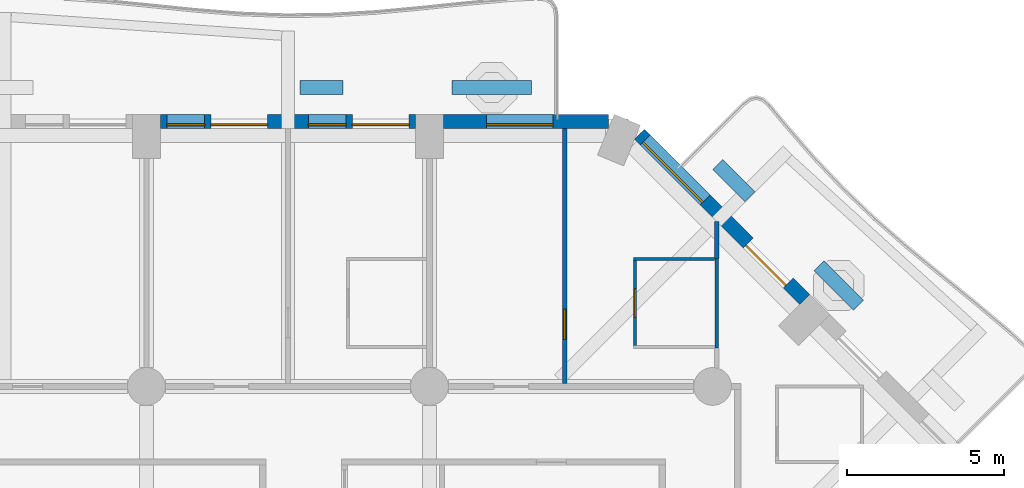
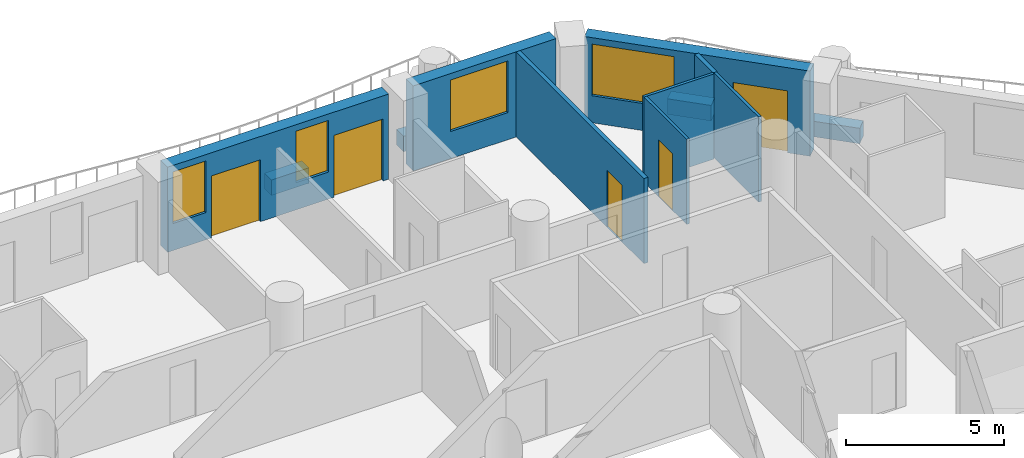
# One storey, part 10 of 20: 12 walls, 5 doors, 4 windows, 9 openings.
"""IFC4 building model written with IfcOpenShell, lengths in metres."""

from ifc_helpers import new_model, si_unit, direction, frame, frame_2d, origin, place, context, subcontext, project, spatial, rectangle, extrude, material, layer, layer_set, type_object, element, fill, save


model = new_model("IFC4")

# Units and contexts
model_context = context("Model", 3, precision=1e-05, world=origin(), true_north=direction((0.0, 1.0)))
body_context = subcontext(model_context, "Body", "Model", "MODEL_VIEW")
ifc_project = project(units=[si_unit("LENGTHUNIT", "METRE"), si_unit("AREAUNIT", "SQUARE_METRE"), si_unit("VOLUMEUNIT", "CUBIC_METRE"), si_unit("PLANEANGLEUNIT", "RADIAN"), si_unit("MASSUNIT", "GRAM", prefix="KILO")], contexts=[model_context])

# Site, building, storey
site_placement = place(None, origin())
site = spatial("IfcSite", under=ifc_project, at=site_placement, CompositionType="ELEMENT")
building_placement = place(site_placement, origin())
building = spatial("IfcBuilding", under=site, at=building_placement, Name="Cypress Arch Tower", CompositionType="ELEMENT")
storey_placement = place(building_placement, frame((0.0, 0.0, 77.10009765625)))
storey = spatial("IfcBuildingStorey", under=building, at=storey_placement, Name="L13", CompositionType="ELEMENT", Elevation=77.10009765625)

# Walls
ifc_material_1 = material(Name="Concrete C40/50, waterproofed", Category="concrete")
ifc_layer_1 = layer(ifc_material_1, 0.449951171875)
ifc_layer_set_1 = layer_set([ifc_layer_1], Name="Balcony planter wall PW450")
wall_type_1 = type_object("IfcWallType", Name="Balcony planter wall PW450", PredefinedType="SOLIDWALL", material=ifc_layer_set_1)
wall_1_placement = place(storey_placement, frame((19.9365234375, 20.07763671875, 0.0), z_axis=(0.0, 0.0, 1.0), x_axis=(-0.707106781187, 0.707106781187, 0.0)))
element("IfcWall", 1, at=wall_1_placement, inside=storey, type_object=wall_type_1, Name="Balcony planter wall L13-A07.2", PredefinedType="SOLIDWALL", context=body_context, shape_type="SweptSolid", body=[
    extrude(rectangle(XDim=1.780517578125, YDim=0.449951171875, at=frame_2d((0.89013671875, 0.0))), origin(), (0.0, 0.0, 1.0), 0.599853515625),
])
wall_2_placement = place(storey_placement, frame((16.485595703125, 23.528564453125, 0.0), z_axis=(0.0, 0.0, 1.0), x_axis=(-0.707022305137, 0.707191247145, 0.0)))
element("IfcWall", 2, at=wall_2_placement, inside=storey, type_object=wall_type_1, Name="Balcony planter wall L13-A07.3", PredefinedType="SOLIDWALL", context=body_context, shape_type="SweptSolid", body=[
    extrude(rectangle(XDim=1.445068359375, YDim=0.449951171875, at=frame_2d((0.72265625, 0.0))), origin(), (0.0, 0.0, 1.0), 0.599853515625),
])
wall_3_placement = place(storey_placement, frame((9.550048828125, 27.0, 0.0), z_axis=(0.0, 0.0, 1.0), x_axis=(-1.0, 0.0, 0.0)))
element("IfcWall", 3, at=wall_3_placement, inside=storey, type_object=wall_type_1, Name="Balcony planter wall L13-A08.1", PredefinedType="SOLIDWALL", context=body_context, shape_type="SweptSolid", body=[
    extrude(rectangle(XDim=2.53759765625, YDim=0.449951171875, at=frame_2d((1.268798828125, 0.0))), origin(), (0.0, 0.0, 1.0), 0.599853515625),
])
wall_4_placement = place(storey_placement, frame((3.550048828125, 27.0, 0.0), z_axis=(0.0, 0.0, 1.0), x_axis=(-1.0, 0.0, 0.0)))
element("IfcWall", 4, at=wall_4_placement, inside=storey, type_object=wall_type_1, Name="Balcony planter wall L13-A08.2", PredefinedType="SOLIDWALL", context=body_context, shape_type="SweptSolid", body=[
    extrude(rectangle(XDim=1.375, YDim=0.449951171875, at=frame_2d((0.6875, 0.0))), origin(), (0.0, 0.0, 1.0), 0.599853515625),
])

# Wall, openings, door, window
ifc_material_2 = material(Name="Brick (red buff blend)", Category="masonry")
ifc_layer_2 = layer(ifc_material_2, 0.449951171875)
ifc_layer_set_2 = layer_set([ifc_layer_2], Name="Brick pier and spandrel wall BW450")
wall_type_2 = type_object("IfcWallType", Name="Brick pier and spandrel wall BW450", PredefinedType="SOLIDWALL", material=ifc_layer_set_2)
wall_5_placement = place(storey_placement, frame((18.228759765625, 20.26513671875, 0.0), z_axis=(0.0, 0.0, 1.0), x_axis=(-0.707106781187, 0.707106781187, 0.0)))
wall_5 = element("IfcWall", 5, at=wall_5_placement, inside=storey, type_object=wall_type_2, Name="Brick wall L13 A07.1", PredefinedType="SOLIDWALL", context=body_context, shape_type="SweptSolid", body=[
    extrude(rectangle(XDim=7.423828125, YDim=0.449951171875, at=frame_2d((3.7119140625, 0.0))), origin(), (0.0, 0.0, 1.0), 3.2998046875),
])
opening_1_placement = place(wall_5_placement, frame((0.740234375, 0.0, 0.0)))
opening_1 = element("IfcOpeningElement", 6, at=opening_1_placement, cuts=wall_5, Name="Opening D-L13-A07.1.1", PredefinedType="OPENING", context=body_context, shape_type="SweptSolid", body=[
    extrude(rectangle(XDim=1.800048828125, YDim=2.39990234375, at=frame_2d((0.89990234375, 1.199951171875))), frame((0.0, 0.23486328125, 0.0), z_axis=(0.0, -1.0, 0.0), x_axis=(1.0, 0.0, 0.0)), (0.0, 0.0, 1.0), 0.469970703125),
])
opening_2_placement = place(wall_5_placement, frame((4.470703125, 0.0, 1.050048828125)))
opening_2 = element("IfcOpeningElement", 7, at=opening_2_placement, cuts=wall_5, Name="Opening W270HD", PredefinedType="OPENING", context=body_context, shape_type="SweptSolid", body=[
    extrude(rectangle(XDim=2.699951171875, YDim=2.0, at=frame_2d((1.35009765625, 1.0))), frame((0.0, 0.23486328125, 0.0), z_axis=(0.0, -1.0, 0.0), x_axis=(1.0, 0.0, 0.0)), (0.0, 0.0, 1.0), 0.469970703125),
])
ifc_material_3 = material(Name="Anodised aluminium, bronze finish, laminated low-emissivity double glazing, large-missile impact rated", Category="aluminium")
door_type_1 = type_object("IfcDoorType", Name="Balcony sliding door 1800x2400", OperationType="SLIDING_TO_LEFT", PredefinedType="DOOR", material=ifc_material_3)
door_1_placement = place(opening_1_placement, origin())
door_1 = element("IfcDoor", 8, at=door_1_placement, inside=storey, type_object=door_type_1, Name="Balcony door L13 A07.1.1", OperationType="SLIDING_TO_LEFT", OverallHeight=2.39990234375, OverallWidth=1.800048828125, PredefinedType="DOOR", context=body_context, shape_type="SweptSolid", body=[
    extrude(rectangle(XDim=1.800048828125, YDim=2.39990234375, at=frame_2d((0.89990234375, 1.199951171875))), frame((0.0, 0.1298828125, 0.0), z_axis=(0.0, -1.0, 0.0), x_axis=(1.0, 0.0, 0.0)), (0.0, 0.0, 1.0), 0.050048828125),
])
fill(opening_1, door_1)
ifc_material_4 = material(Name="Anodised aluminium, bronze finish, laminated low-emissivity double glazing, large-missile impact rated", Category="aluminium")
window_type_1 = type_object("IfcWindowType", Name="Window Hotel 2700x2000 debris-rated", PartitioningType="SINGLE_PANEL", PredefinedType="WINDOW", material=ifc_material_4)
window_1_placement = place(opening_2_placement, origin())
window_1 = element("IfcWindow", 9, at=window_1_placement, inside=storey, type_object=window_type_1, Name="Window L13 A07.1.2", OverallHeight=2.0, OverallWidth=2.699951171875, PartitioningType="SINGLE_PANEL", PredefinedType="WINDOW", context=body_context, shape_type="SweptSolid", body=[
    extrude(rectangle(XDim=2.699951171875, YDim=2.0, at=frame_2d((1.35009765625, 1.0))), frame((0.0, 0.135009765625, 0.0), z_axis=(0.0, -1.0, 0.0), x_axis=(1.0, 0.0, 0.0)), (0.0, 0.0, 1.0), 0.06005859375),
])
fill(opening_2, window_1)

# Wall, opening, window
wall_6_placement = place(storey_placement, frame((11.98876953125, 25.925048828125, 0.0), z_axis=(0.0, 0.0, 1.0), x_axis=(-1.0, 0.0, 0.0)))
wall_6 = element("IfcWall", 10, at=wall_6_placement, inside=storey, type_object=wall_type_2, Name="Brick wall L13 A08.0", PredefinedType="SOLIDWALL", context=body_context, shape_type="SweptSolid", body=[
    extrude(rectangle(XDim=5.23876953125, YDim=0.449951171875, at=frame_2d((2.619384765625, 0.0))), origin(), (0.0, 0.0, 1.0), 3.2998046875),
])
opening_3_placement = place(wall_6_placement, frame((1.769775390625, 0.0, 1.050048828125)))
opening_3 = element("IfcOpeningElement", 11, at=opening_3_placement, cuts=wall_6, Name="Opening W210HD", PredefinedType="OPENING", context=body_context, shape_type="SweptSolid", body=[
    extrude(rectangle(XDim=2.10009765625, YDim=2.0, at=frame_2d((1.050048828125, 1.0))), frame((0.0, 0.23486328125, 0.0), z_axis=(0.0, -1.0, 0.0), x_axis=(1.0, 0.0, 0.0)), (0.0, 0.0, 1.0), 0.469970703125),
])
ifc_material_5 = material(Name="Anodised aluminium, bronze finish, laminated low-emissivity double glazing, large-missile impact rated", Category="aluminium")
window_type_2 = type_object("IfcWindowType", Name="Window Hotel 2100x2000 debris-rated", PartitioningType="SINGLE_PANEL", PredefinedType="WINDOW", material=ifc_material_5)
window_2_placement = place(opening_3_placement, origin())
window_2 = element("IfcWindow", 12, at=window_2_placement, inside=storey, type_object=window_type_2, Name="Window L13 A08.0.1", OverallHeight=2.0, OverallWidth=2.10009765625, PartitioningType="SINGLE_PANEL", PredefinedType="WINDOW", context=body_context, shape_type="SweptSolid", body=[
    extrude(rectangle(XDim=2.10009765625, YDim=2.0, at=frame_2d((1.050048828125, 1.0))), frame((0.0, 0.135009765625, 0.0), z_axis=(0.0, -1.0, 0.0), x_axis=(1.0, 0.0, 0.0)), (0.0, 0.0, 1.0), 0.06005859375),
])
fill(opening_3, window_2)

# Wall, openings, doors, windows
wall_7_placement = place(storey_placement, frame((5.85009765625, 25.925048828125, 0.0), z_axis=(0.0, 0.0, 1.0), x_axis=(-1.0, 0.0, 0.0)))
wall_7 = element("IfcWall", 13, at=wall_7_placement, inside=storey, type_object=wall_type_2, Name="Brick wall L13 A08.1", PredefinedType="SOLIDWALL", context=body_context, shape_type="SweptSolid", body=[
    extrude(rectangle(XDim=8.10009765625, YDim=0.449951171875, at=frame_2d((4.050048828125, 0.0))), origin(), (0.0, 0.0, 1.0), 3.2998046875),
])
opening_4_placement = place(wall_7_placement, frame((0.199951171875, 0.0, 0.0)))
opening_4 = element("IfcOpeningElement", 14, at=opening_4_placement, cuts=wall_7, Name="Opening D-L13-A08.1.1", PredefinedType="OPENING", context=body_context, shape_type="SweptSolid", body=[
    extrude(rectangle(XDim=1.800048828125, YDim=2.39990234375, at=frame_2d((0.89990234375, 1.199951171875))), frame((0.0, 0.23486328125, 0.0), z_axis=(0.0, -1.0, 0.0), x_axis=(1.0, 0.0, 0.0)), (0.0, 0.0, 1.0), 0.469970703125),
])
opening_5_placement = place(wall_7_placement, frame((2.199951171875, 0.0, 1.050048828125)))
opening_5 = element("IfcOpeningElement", 15, at=opening_5_placement, cuts=wall_7, Name="Opening W120HD", PredefinedType="OPENING", context=body_context, shape_type="SweptSolid", body=[
    extrude(rectangle(XDim=1.199951171875, YDim=2.0, at=frame_2d((0.60009765625, 1.0))), frame((0.0, 0.23486328125, 0.0), z_axis=(0.0, -1.0, 0.0), x_axis=(1.0, 0.0, 0.0)), (0.0, 0.0, 1.0), 0.469970703125),
])
opening_6_placement = place(wall_7_placement, frame((4.699951171875, 0.0, 0.0)))
opening_6 = element("IfcOpeningElement", 16, at=opening_6_placement, cuts=wall_7, Name="Opening D-L13-A08.1.2", PredefinedType="OPENING", context=body_context, shape_type="SweptSolid", body=[
    extrude(rectangle(XDim=1.800048828125, YDim=2.39990234375, at=frame_2d((0.89990234375, 1.199951171875))), frame((0.0, 0.23486328125, 0.0), z_axis=(0.0, -1.0, 0.0), x_axis=(1.0, 0.0, 0.0)), (0.0, 0.0, 1.0), 0.469970703125),
])
opening_7_placement = place(wall_7_placement, frame((6.699951171875, 0.0, 1.050048828125)))
opening_7 = element("IfcOpeningElement", 17, at=opening_7_placement, cuts=wall_7, Name="Opening W120HD", PredefinedType="OPENING", context=body_context, shape_type="SweptSolid", body=[
    extrude(rectangle(XDim=1.199951171875, YDim=2.0, at=frame_2d((0.60009765625, 1.0))), frame((0.0, 0.23486328125, 0.0), z_axis=(0.0, -1.0, 0.0), x_axis=(1.0, 0.0, 0.0)), (0.0, 0.0, 1.0), 0.469970703125),
])
door_2_placement = place(opening_4_placement, origin())
door_2 = element("IfcDoor", 18, at=door_2_placement, inside=storey, type_object=door_type_1, Name="Balcony door L13 A08.1.1", OperationType="SLIDING_TO_LEFT", OverallHeight=2.39990234375, OverallWidth=1.800048828125, PredefinedType="DOOR", context=body_context, shape_type="SweptSolid", body=[
    extrude(rectangle(XDim=1.800048828125, YDim=2.39990234375, at=frame_2d((0.89990234375, 1.199951171875))), frame((0.0, 0.1298828125, 0.0), z_axis=(0.0, -1.0, 0.0), x_axis=(1.0, 0.0, 0.0)), (0.0, 0.0, 1.0), 0.050048828125),
])
fill(opening_4, door_2)
door_3_placement = place(opening_6_placement, origin())
door_3 = element("IfcDoor", 19, at=door_3_placement, inside=storey, type_object=door_type_1, Name="Balcony door L13 A08.1.2", OperationType="SLIDING_TO_LEFT", OverallHeight=2.39990234375, OverallWidth=1.800048828125, PredefinedType="DOOR", context=body_context, shape_type="SweptSolid", body=[
    extrude(rectangle(XDim=1.800048828125, YDim=2.39990234375, at=frame_2d((0.89990234375, 1.199951171875))), frame((0.0, 0.1298828125, 0.0), z_axis=(0.0, -1.0, 0.0), x_axis=(1.0, 0.0, 0.0)), (0.0, 0.0, 1.0), 0.050048828125),
])
fill(opening_6, door_3)
ifc_material_6 = material(Name="Anodised aluminium, bronze finish, laminated low-emissivity double glazing, large-missile impact rated", Category="aluminium")
window_type_3 = type_object("IfcWindowType", Name="Window Hotel 1200x2000 debris-rated", PartitioningType="SINGLE_PANEL", PredefinedType="WINDOW", material=ifc_material_6)
window_3_placement = place(opening_5_placement, origin())
window_3 = element("IfcWindow", 20, at=window_3_placement, inside=storey, type_object=window_type_3, Name="Window L13 A08.1.1", OverallHeight=2.0, OverallWidth=1.199951171875, PartitioningType="SINGLE_PANEL", PredefinedType="WINDOW", context=body_context, shape_type="SweptSolid", body=[
    extrude(rectangle(XDim=1.199951171875, YDim=2.0, at=frame_2d((0.60009765625, 1.0))), frame((0.0, 0.135009765625, 0.0), z_axis=(0.0, -1.0, 0.0), x_axis=(1.0, 0.0, 0.0)), (0.0, 0.0, 1.0), 0.06005859375),
])
fill(opening_5, window_3)
window_4_placement = place(opening_7_placement, origin())
window_4 = element("IfcWindow", 21, at=window_4_placement, inside=storey, type_object=window_type_3, Name="Window L13 A08.1.2", OverallHeight=2.0, OverallWidth=1.199951171875, PartitioningType="SINGLE_PANEL", PredefinedType="WINDOW", context=body_context, shape_type="SweptSolid", body=[
    extrude(rectangle(XDim=1.199951171875, YDim=2.0, at=frame_2d((0.60009765625, 1.0))), frame((0.0, 0.135009765625, 0.0), z_axis=(0.0, -1.0, 0.0), x_axis=(1.0, 0.0, 0.0)), (0.0, 0.0, 1.0), 0.06005859375),
])
fill(opening_7, window_4)

# Wall, opening, door
ifc_material_7 = material(Name="Blockwork, plastered both sides", Category="masonry")
ifc_layer_3 = layer(ifc_material_7, 0.14990234375)
ifc_layer_set_3 = layer_set([ifc_layer_3], Name="Partition PW150")
wall_type_3 = type_object("IfcWallType", Name="Partition PW150", PredefinedType="PARTITIONING", material=ifc_layer_set_3)
wall_8_placement = place(storey_placement, frame((10.60009765625, 17.60009765625, 0.0), z_axis=(0.0, 0.0, 1.0), x_axis=(0.0, 1.0, 0.0)))
wall_8 = element("IfcWall", 22, at=wall_8_placement, inside=storey, type_object=wall_type_3, Name="Partition", PredefinedType="PARTITIONING", context=body_context, shape_type="SweptSolid", body=[
    extrude(rectangle(XDim=8.099853515625, YDim=0.14990234375, at=frame_2d((4.0498046875, 0.0))), origin(), (0.0, 0.0, 1.0), 3.2998046875),
])
opening_8_placement = place(wall_8_placement, frame((1.39990234375, 0.0, 0.0)))
opening_8 = element("IfcOpeningElement", 23, at=opening_8_placement, cuts=wall_8, Name="Opening D12", PredefinedType="OPENING", context=body_context, shape_type="SweptSolid", body=[
    extrude(rectangle(XDim=0.949951171875, YDim=2.199951171875, at=frame_2d((0.47509765625, 1.10009765625))), frame((0.0, 0.0849609375, 0.0), z_axis=(0.0, -1.0, 0.0), x_axis=(1.0, 0.0, 0.0)), (0.0, 0.0, 1.0), 0.169921875),
])
ifc_material_8 = material(Name="Timber flush door", Category="wood")
door_type_2 = type_object("IfcDoorType", Name="Room door D12 950x2200", OperationType="SINGLE_SWING_LEFT", PredefinedType="DOOR", material=ifc_material_8)
door_4_placement = place(opening_8_placement, origin())
door_4 = element("IfcDoor", 24, at=door_4_placement, inside=storey, type_object=door_type_2, Name="Room door", OperationType="SINGLE_SWING_LEFT", OverallHeight=2.199951171875, OverallWidth=0.949951171875, PredefinedType="DOOR", context=body_context, shape_type="SweptSolid", body=[
    extrude(rectangle(XDim=0.949951171875, YDim=2.199951171875, at=frame_2d((0.47509765625, 1.10009765625))), frame((0.0, 0.02490234375, 0.0), z_axis=(0.0, -1.0, 0.0), x_axis=(1.0, 0.0, 0.0)), (0.0, 0.0, 1.0), 0.050048828125),
])
fill(opening_8, door_4)

# Wall
wall_9_placement = place(storey_placement, frame((15.431884765625, 21.570068359375, 0.0), z_axis=(0.0, 0.0, 1.0), x_axis=(0.0, 1.0, 0.0)))
element("IfcWall", 25, at=wall_9_placement, inside=storey, type_object=wall_type_3, Name="Partition", PredefinedType="PARTITIONING", context=body_context, shape_type="SweptSolid", body=[
    extrude(rectangle(XDim=1.173583984375, YDim=0.14990234375, at=frame_2d((0.5869140625, 0.0))), origin(), (0.0, 0.0, 1.0), 3.2998046875),
])

# Wall, opening, door
ifc_material_9 = material(Name="Moisture resistant board on steel studs, tiled", Category="steel")
ifc_layer_4 = layer(ifc_material_9, 0.10009765625)
ifc_layer_set_4 = layer_set([ifc_layer_4], Name="Wet wall PW100")
wall_type_4 = type_object("IfcWallType", Name="Wet wall PW100", PredefinedType="PARTITIONING", material=ifc_layer_set_4)
wall_10_placement = place(storey_placement, frame((12.8359375, 18.800048828125, 0.0), z_axis=(0.0, 0.0, 1.0), x_axis=(0.0, 1.0, 0.0)))
wall_10 = element("IfcWall", 26, at=wall_10_placement, inside=storey, type_object=wall_type_4, Name="Wet wall", PredefinedType="PARTITIONING", context=body_context, shape_type="SweptSolid", body=[
    extrude(rectangle(XDim=2.699951171875, YDim=0.10009765625, at=frame_2d((1.35009765625, 0.0))), origin(), (0.0, 0.0, 1.0), 3.2998046875),
])
opening_9_placement = place(wall_10_placement, frame((0.89990234375, 0.0, 0.0)))
opening_9 = element("IfcOpeningElement", 27, at=opening_9_placement, cuts=wall_10, Name="Opening D03", PredefinedType="OPENING", context=body_context, shape_type="SweptSolid", body=[
    extrude(rectangle(XDim=0.89990234375, YDim=2.199951171875, at=frame_2d((0.449951171875, 1.10009765625))), frame((0.0, 0.06005859375, 0.0), z_axis=(0.0, -1.0, 0.0), x_axis=(1.0, 0.0, 0.0)), (0.0, 0.0, 1.0), 0.1201171875),
])
ifc_material_10 = material(Name="Timber flush door, moisture resistant", Category="wood")
door_type_3 = type_object("IfcDoorType", Name="Bathroom door D03 900x2200", OperationType="SINGLE_SWING_LEFT", PredefinedType="DOOR", material=ifc_material_10)
door_5_placement = place(opening_9_placement, origin())
door_5 = element("IfcDoor", 28, at=door_5_placement, inside=storey, type_object=door_type_3, Name="Bathroom door", OperationType="SINGLE_SWING_LEFT", OverallHeight=2.199951171875, OverallWidth=0.89990234375, PredefinedType="DOOR", context=body_context, shape_type="SweptSolid", body=[
    extrude(rectangle(XDim=0.89990234375, YDim=2.199951171875, at=frame_2d((0.449951171875, 1.10009765625))), frame((0.0, 0.02490234375, 0.0), z_axis=(0.0, -1.0, 0.0), x_axis=(1.0, 0.0, 0.0)), (0.0, 0.0, 1.0), 0.050048828125),
])
fill(opening_9, door_5)

# Walls
wall_11_placement = place(storey_placement, frame((12.785888671875, 21.550048828125, 0.0), z_axis=(0.0, 0.0, 1.0), x_axis=(1.0, 0.0, 0.0)))
element("IfcWall", 29, at=wall_11_placement, inside=storey, type_object=wall_type_4, Name="Wet wall", PredefinedType="PARTITIONING", context=body_context, shape_type="SweptSolid", body=[
    extrude(rectangle(XDim=2.571044921875, YDim=0.10009765625, at=frame_2d((1.28564453125, 0.0))), origin(), (0.0, 0.0, 1.0), 3.2998046875),
])
wall_12_placement = place(storey_placement, frame((15.431884765625, 18.72998046875, 0.0), z_axis=(0.0, 0.0, 1.0), x_axis=(0.0, 1.0, 0.0)))
element("IfcWall", 30, at=wall_12_placement, inside=storey, type_object=wall_type_4, Name="Wet wall", PredefinedType="PARTITIONING", context=body_context, shape_type="SweptSolid", body=[
    extrude(rectangle(XDim=2.840087890625, YDim=0.10009765625, at=frame_2d((1.419921875, 0.0))), origin(), (0.0, 0.0, 1.0), 3.2998046875),
])

save(model, "model.ifc")
